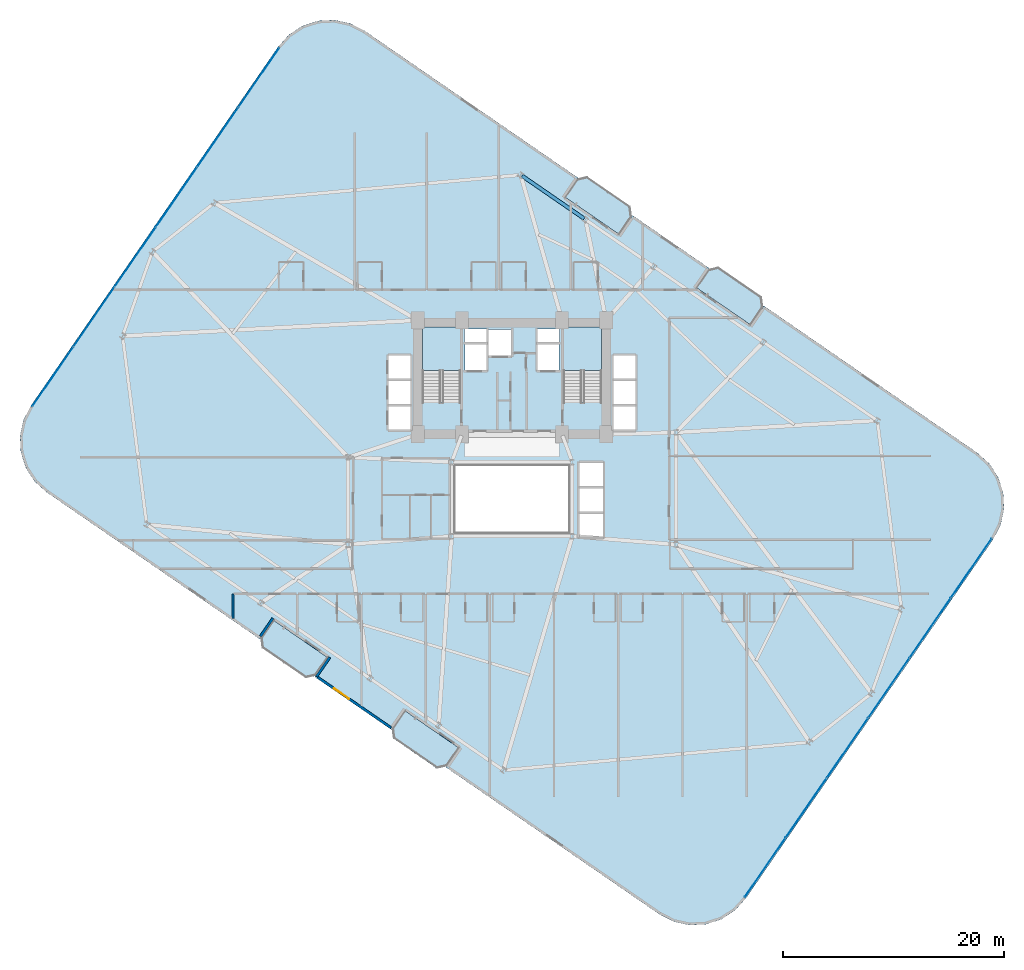
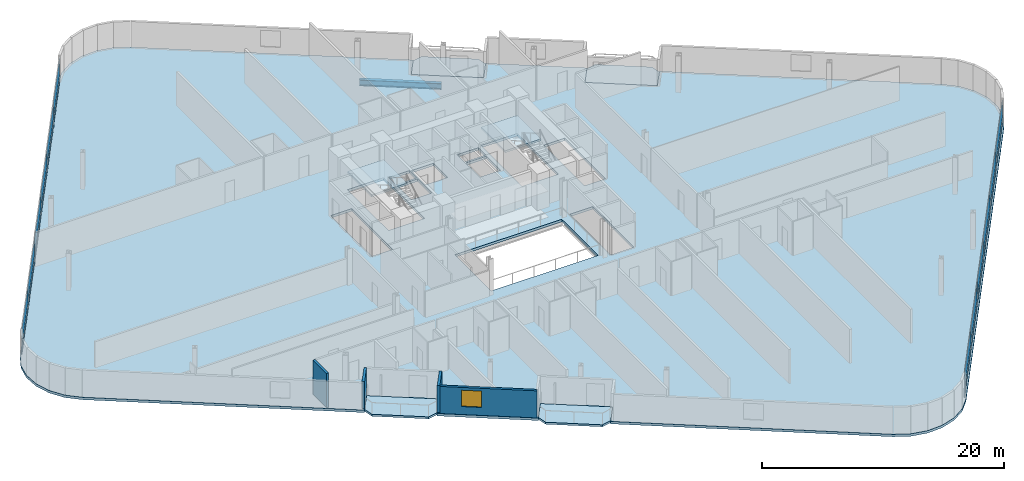
# One storey, part 16 of 25: 24 plates, 7 slabs, 4 walls, 1 beam, 1 window, 1 opening, 4 elements without a shape of their own.
"""IFC4 building model written with IfcOpenShell, lengths in metres."""

from ifc_helpers import new_model, si_unit, direction, frame, frame_2d, origin, origin_2d, place, context, subcontext, project, spatial, polyline, rectangle, i_section, outline, extrude, source, transform, mapped, material, layer, layer_set, material_profile, profile_set, type_object, element, fill, aggregate, save


model = new_model("IFC4")

# Units and contexts
model_context = context("Model", 3, precision=1e-05, world=origin(), true_north=direction((0.0, 1.0)))
body_context = subcontext(model_context, "Body", "Model", "MODEL_VIEW")
ifc_project = project(units=[si_unit("LENGTHUNIT", "METRE"), si_unit("AREAUNIT", "SQUARE_METRE"), si_unit("VOLUMEUNIT", "CUBIC_METRE"), si_unit("PLANEANGLEUNIT", "RADIAN"), si_unit("MASSUNIT", "GRAM", prefix="KILO")], contexts=[model_context])

# Site, building, storey
site_placement = place(None, origin())
site = spatial("IfcSite", under=ifc_project, at=site_placement, CompositionType="ELEMENT")
building_placement = place(site_placement, origin())
building = spatial("IfcBuilding", under=site, at=building_placement, Name="Varnelok Gate Tower", CompositionType="ELEMENT")
storey_placement = place(building_placement, frame((0.0, 0.0, 64.0)))
storey = spatial("IfcBuildingStorey", under=building, at=storey_placement, Name="L15", CompositionType="ELEMENT", Elevation=64.0)

# Beam
ifc_material_1 = material(Name="Structural Steel ASTM A992 Grade 50", Category="steel")
ifc_material_profile = material_profile(ifc_material_1, i_section(OverallWidth=0.323974609375, OverallDepth=0.611083984375, WebThickness=0.0126953125, FlangeThickness=0.01904296875, FilletRadius=0.01806640625, at=origin_2d()), Name="W24X104")
ifc_profile_set = profile_set([ifc_material_profile], Name="Structural Steel ASTM A992 Grade 50")
beam_type = type_object("IfcBeamType", Name="BM-SPN-W24X104", PredefinedType="SPANDREL", material=ifc_profile_set)
beam_placement = place(storey_placement, frame((45.708984375, 48.235107421875, -0.555419921875), z_axis=(-0.823553445566, 0.567238681947, 0.0), x_axis=(-0.567238681947, -0.823553445566, 0.0)))
element("IfcBeam", 1, at=beam_placement, inside=storey, type_object=beam_type, Name="L15 Perimeter Spandrel Beam 12", PredefinedType="SPANDREL", context=body_context, shape_type="SweptSolid", body=[
    extrude(i_section(OverallWidth=0.323974609375, OverallDepth=0.611083984375, WebThickness=0.0126953125, FlangeThickness=0.01904296875, FilletRadius=0.01806640625, at=origin_2d()), origin(), (0.0, 0.0, 1.0), 6.7998046875),
])

# Slabs
ifc_material_2 = material(Name="Concrete C45/55", Category="concrete")
ifc_layer_1 = layer(ifc_material_2, 0.199951171875)
ifc_layer_set_1 = layer_set([ifc_layer_1], Name="Concrete C45/55")
slab_type_1 = type_object("IfcSlabType", Name="SLB-BALC-200", PredefinedType="FLOOR", material=ifc_layer_set_1)
slab_1_placement = place(storey_placement, frame((0.0, 0.0, -0.199951171875)))
element("IfcSlab", 2, at=slab_1_placement, inside=storey, type_object=slab_type_1, Name="L15 South Hollow Balcony 1", PredefinedType="FLOOR", context=body_context, shape_type="SweptSolid", body=[
    extrude(outline(polyline([(16.5048828125, 10.3330078125), (16.67138671875, 9.42919921875), (20.5419921875, 6.762939453125), (21.446044921875, 6.929443359375), (22.58056640625, 8.57666015625), (17.639404296875, 11.980224609375), (16.5048828125, 10.3330078125)])), origin(), (0.0, 0.0, 1.0), 0.199951171875),
])
slab_2_placement = place(storey_placement, frame((0.0, 0.0, -0.199951171875)))
element("IfcSlab", 3, at=slab_2_placement, inside=storey, type_object=slab_type_1, Name="L15 South Hollow Balcony 2", PredefinedType="FLOOR", context=body_context, shape_type="SweptSolid", body=[
    extrude(outline(polyline([(28.36376953125, 2.164306640625), (28.5302734375, 1.260498046875), (32.40087890625, -1.40576171875), (33.304931640625, -1.2392578125), (34.439453125, 0.407958984375), (29.498291015625, 3.8115234375), (28.36376953125, 2.164306640625)])), origin(), (0.0, 0.0, 1.0), 0.199951171875),
])
slab_3_placement = place(storey_placement, frame((0.0, 0.0, -0.199951171875)))
element("IfcSlab", 4, at=slab_3_placement, inside=storey, type_object=slab_type_1, Name="L15 North Hollow Balcony 1", PredefinedType="FLOOR", context=body_context, shape_type="SweptSolid", body=[
    extrude(outline(polyline([(43.960693359375, 50.192138671875), (48.90185546875, 46.78857421875), (50.036376953125, 48.435546875), (49.869873046875, 49.339599609375), (45.999267578125, 52.005615234375), (45.09521484375, 51.839111328125), (43.960693359375, 50.192138671875)])), origin(), (0.0, 0.0, 1.0), 0.199951171875),
])
slab_4_placement = place(storey_placement, frame((0.0, 0.0, -0.199951171875)))
element("IfcSlab", 5, at=slab_4_placement, inside=storey, type_object=slab_type_1, Name="L15 North Hollow Balcony 2", PredefinedType="FLOOR", context=body_context, shape_type="SweptSolid", body=[
    extrude(outline(polyline([(55.819580078125, 42.0234375), (60.7607421875, 38.619873046875), (61.895263671875, 40.266845703125), (61.728515625, 41.1708984375), (57.85791015625, 43.837158203125), (56.9541015625, 43.67041015625), (55.819580078125, 42.0234375)])), origin(), (0.0, 0.0, 1.0), 0.199951171875),
])

# Stair, slab
ifc_material_3 = material(Name="Concrete C50/60", Category="concrete")
stair_type = type_object("IfcStairType", Name="STR-CORE-1650", PredefinedType="HALF_TURN_STAIR", material=ifc_material_3)
stair_1_placement = place(storey_placement, origin())
stair_1 = element("IfcStair", 6, at=stair_1_placement, inside=storey, type_object=stair_type, Name="L15 Exit Stair ST-1", PredefinedType="HALF_TURN_STAIR")
ifc_layer_2 = layer(ifc_material_2, 0.199951171875)
ifc_layer_set_2 = layer_set([ifc_layer_2], Name="Concrete C45/55")
slab_type_2 = type_object("IfcSlabType", Name="SLB-LAND-200", PredefinedType="LANDING", material=ifc_layer_set_2)
slab_5_placement = place(storey_placement, frame((0.0, 0.0, 1.64990234375)))
slab_5 = element("IfcSlab", 7, at=slab_5_placement, type_object=slab_type_2, Name="ST-1 landing 1", PredefinedType="LANDING", context=body_context, shape_type="SweptSolid", body=[
    extrude(outline(polyline([(34.550048828125, 34.5), (34.550048828125, 38.449951171875), (31.10009765625, 38.449951171875), (31.10009765625, 34.5), (34.550048828125, 34.5)])), origin(), (0.0, 0.0, 1.0), 0.2001953125),
])
aggregate(stair_1, [slab_5])

stair_2_placement = place(storey_placement, origin())
stair_2 = element("IfcStair", 8, at=stair_2_placement, inside=storey, type_object=stair_type, Name="L15 Exit Stair ST-2", PredefinedType="HALF_TURN_STAIR")
slab_6_placement = place(storey_placement, frame((0.0, 0.0, 1.64990234375)))
slab_6 = element("IfcSlab", 9, at=slab_6_placement, type_object=slab_type_2, Name="ST-2 landing 1", PredefinedType="LANDING", context=body_context, shape_type="SweptSolid", body=[
    extrude(outline(polyline([(47.300048828125, 34.5), (47.300048828125, 38.449951171875), (43.85009765625, 38.449951171875), (43.85009765625, 34.5), (47.300048828125, 34.5)])), origin(), (0.0, 0.0, 1.0), 0.2001953125),
])
aggregate(stair_2, [slab_6])

# Slab
ifc_layer_3 = layer(ifc_material_3, 0.25)
ifc_layer_set_3 = layer_set([ifc_layer_3], Name="Concrete C50/60")
slab_type_3 = type_object("IfcSlabType", Name="SLB-TYP-250", PredefinedType="FLOOR", material=ifc_layer_set_3)
slab_7_placement = place(storey_placement, frame((0.0, 0.0, -0.25)))
element("IfcSlab", 10, at=slab_7_placement, inside=storey, type_object=slab_type_3, Name="L15 Structural Floor Slab", PredefinedType="FLOOR", context=body_context, shape_type="SweptSolid", body=[
    extrude(outline(polyline([(-4.2578125, 31.3134765625), (-4.922607421875, 30.011474609375), (-5.22802734375, 28.581787109375), (-5.1533203125, 27.121826171875), (-4.702880859375, 25.731201171875), (-3.907958984375, 24.504150390625), (-2.822509765625, 23.52490234375), (7.7734375, 16.22607421875), (16.447998046875, 10.250732421875), (17.639404296875, 11.980224609375), (22.58056640625, 8.57666015625), (21.389404296875, 6.84716796875), (28.306884765625, 2.08203125), (29.498291015625, 3.8115234375), (34.439453125, 0.407958984375), (33.248046875, -1.321533203125), (41.922607421875, -7.296875), (52.518798828125, -14.595703125), (53.82080078125, -15.2607421875), (55.250244140625, -15.566162109375), (56.710205078125, -15.4912109375), (58.10107421875, -15.040771484375), (59.327880859375, -14.245849609375), (60.307373046875, -13.160400390625), (82.65771484375, 19.28662109375), (83.32275390625, 20.58837890625), (83.628173828125, 22.018310546875), (83.55322265625, 23.47802734375), (83.102783203125, 24.868896484375), (82.30810546875, 26.095703125), (81.22265625, 27.0751953125), (70.62646484375, 34.3740234375), (61.951904296875, 40.34912109375), (60.7607421875, 38.619873046875), (55.819580078125, 42.0234375), (57.0107421875, 43.752685546875), (50.093017578125, 48.517822265625), (48.90185546875, 46.78857421875), (43.960693359375, 50.192138671875), (45.15185546875, 51.92138671875), (36.477294921875, 57.896728515625), (25.881103515625, 65.195556640625), (24.579345703125, 65.860595703125), (23.149658203125, 66.166015625), (21.689697265625, 66.091064453125), (20.299072265625, 65.640869140625), (19.072021484375, 64.845947265625), (18.0927734375, 63.760498046875), (-4.2578125, 31.3134765625)]), holes=[polyline([(34.550048828125, 31.679931640625), (34.550048828125, 38.449951171875), (31.10009765625, 38.449951171875), (31.10009765625, 31.679931640625), (34.550048828125, 31.679931640625)]), polyline([(47.300048828125, 31.679931640625), (47.300048828125, 38.449951171875), (43.85009765625, 38.449951171875), (43.85009765625, 31.679931640625), (47.300048828125, 31.679931640625)]), polyline([(34.949951171875, 34.550048828125), (36.89990234375, 34.550048828125), (36.89990234375, 36.89990234375), (34.949951171875, 36.89990234375), (34.949951171875, 34.550048828125)]), polyline([(41.5, 34.550048828125), (43.449951171875, 34.550048828125), (43.449951171875, 36.89990234375), (41.5, 36.89990234375), (41.5, 34.550048828125)]), polyline([(37.050048828125, 35.85009765625), (39.14990234375, 35.85009765625), (39.14990234375, 38.199951171875), (37.050048828125, 38.199951171875), (37.050048828125, 35.85009765625)]), polyline([(28.050048828125, 29.14990234375), (30.050048828125, 29.14990234375), (30.050048828125, 35.89990234375), (28.050048828125, 35.89990234375), (28.050048828125, 29.14990234375)]), polyline([(48.35009765625, 29.14990234375), (50.35009765625, 29.14990234375), (50.35009765625, 35.89990234375), (48.35009765625, 35.89990234375), (48.35009765625, 29.14990234375)]), polyline([(45.25, 19.449951171875), (47.449951171875, 19.449951171875), (47.449951171875, 26.199951171875), (45.25, 26.199951171875), (45.25, 19.449951171875)]), polyline([(34.919921875, 37.080078125), (36.89990234375, 37.080078125), (36.89990234375, 38.280029296875), (34.919921875, 38.280029296875), (34.919921875, 37.080078125)]), polyline([(41.5, 37.080078125), (43.47998046875, 37.080078125), (43.47998046875, 38.280029296875), (41.5, 38.280029296875), (41.5, 37.080078125)]), polyline([(34.10009765625, 19.89990234375), (44.300048828125, 19.89990234375), (44.300048828125, 25.89990234375), (34.10009765625, 25.89990234375), (34.10009765625, 19.89990234375)])]), origin(), (0.0, 0.0, 1.0), 0.25),
])

# Curtain wall, plates
ifc_material_4 = material(Name="Anodized Aluminum Alloy 6063-T6", Category="aluminium")
ifc_layer_4 = layer(ifc_material_4, 0.179931640625)
ifc_layer_set_4 = layer_set([ifc_layer_4], Name="Anodized Aluminum Alloy 6063-T6")
curtain_wall_type = type_object("IfcCurtainWallType", Name="CW3-HOTEL-VISION", PredefinedType="USERDEFINED", material=ifc_layer_set_4)
curtain_wall_1_placement = place(storey_placement, origin())
curtain_wall_1 = element("IfcCurtainWall", 11, at=curtain_wall_1_placement, inside=storey, type_object=curtain_wall_type, Name="L15 West End Vision Curtain Wall", ObjectType="UNITISED CURTAIN WALL", PredefinedType="USERDEFINED")
ifc_material_5 = material(Name="Low-E Laminated Double Glazing IGU", Category="glass")
ifc_layer_5 = layer(ifc_material_5, 0.031982421875)
ifc_layer_set_5 = layer_set([ifc_layer_5], Name="Low-E Laminated Double Glazing IGU")
plate_type = type_object("IfcPlateType", Name="CW-PNL-IGU32", PredefinedType="CURTAIN_PANEL", material=ifc_layer_set_5)
shared_shape_1 = source(origin(), body_context, "Body", "SweptSolid", [
    extrude(rectangle(XDim=6.46923828125, YDim=0.031982421875, at=origin_2d()), origin(), (0.0, 0.0, 1.0), 0.802490234375),
])
plate_1_placement = place(storey_placement, frame((-2.270751953125, 33.951171875, 0.06494140625), z_axis=(0.0, 0.0, 1.0), x_axis=(0.567268822124, 0.823532685111, 0.0)))
plate_1 = element("IfcPlate", 12, at=plate_1_placement, type_object=plate_type, Name="CW3 panel 1.1", PredefinedType="CURTAIN_PANEL", context=body_context, shape_type="MappedRepresentation", body=[
    mapped(shared_shape_1, transform((0.0, 0.0, 0.0), scale=1.0)),
])
plate_2_placement = place(storey_placement, frame((16.336181640625, 60.9638671875, 0.06494140625), z_axis=(0.0, 0.0, 1.0), x_axis=(0.567268822124, 0.823532685111, 0.0)))
plate_2 = element("IfcPlate", 13, at=plate_2_placement, type_object=plate_type, Name="CW3 panel 6.1", PredefinedType="CURTAIN_PANEL", context=body_context, shape_type="MappedRepresentation", body=[
    mapped(shared_shape_1, transform((0.0, 0.0, 0.0), scale=1.0)),
])

curtain_wall_2_placement = place(storey_placement, origin())
curtain_wall_2 = element("IfcCurtainWall", 14, at=curtain_wall_2_placement, inside=storey, type_object=curtain_wall_type, Name="L15 East End Vision Curtain Wall", ObjectType="UNITISED CURTAIN WALL", PredefinedType="USERDEFINED")
plate_3_placement = place(storey_placement, frame((80.670654296875, 16.648681640625, 0.06494140625), z_axis=(0.0, 0.0, 1.0), x_axis=(-0.567268822124, -0.823532685111, 0.0)))
plate_3 = element("IfcPlate", 15, at=plate_3_placement, type_object=plate_type, Name="CW3 panel 1.1", PredefinedType="CURTAIN_PANEL", context=body_context, shape_type="MappedRepresentation", body=[
    mapped(shared_shape_1, transform((0.0, 0.0, 0.0), scale=1.0)),
])
plate_4_placement = place(storey_placement, frame((62.063720703125, -10.36376953125, 0.06494140625), z_axis=(0.0, 0.0, 1.0), x_axis=(-0.567268822124, -0.823532685111, 0.0)))
plate_4 = element("IfcPlate", 16, at=plate_4_placement, type_object=plate_type, Name="CW3 panel 6.1", PredefinedType="CURTAIN_PANEL", context=body_context, shape_type="MappedRepresentation", body=[
    mapped(shared_shape_1, transform((0.0, 0.0, 0.0), scale=1.0)),
])

# Plate
shared_shape_2 = source(origin(), body_context, "Body", "SweptSolid", [
    extrude(rectangle(XDim=6.46923828125, YDim=0.031982421875, at=origin_2d()), origin(), (0.0, 0.0, 1.0), 1.732421875),
])
plate_5_placement = place(storey_placement, frame((-2.270751953125, 33.951171875, 0.9326171875), z_axis=(0.0, 0.0, 1.0), x_axis=(0.567268822124, 0.823532685111, 0.0)))
plate_5 = element("IfcPlate", 17, at=plate_5_placement, type_object=plate_type, Name="CW3 panel 1.2", PredefinedType="CURTAIN_PANEL", context=body_context, shape_type="MappedRepresentation", body=[
    mapped(shared_shape_2, transform((0.0, 0.0, 0.0), scale=1.0)),
])

plate_6_placement = place(storey_placement, frame((16.336181640625, 60.9638671875, 0.9326171875), z_axis=(0.0, 0.0, 1.0), x_axis=(0.567268822124, 0.823532685111, 0.0)))
plate_6 = element("IfcPlate", 18, at=plate_6_placement, type_object=plate_type, Name="CW3 panel 6.2", PredefinedType="CURTAIN_PANEL", context=body_context, shape_type="MappedRepresentation", body=[
    mapped(shared_shape_2, transform((0.0, 0.0, 0.0), scale=1.0)),
])

plate_7_placement = place(storey_placement, frame((80.670654296875, 16.648681640625, 0.9326171875), z_axis=(0.0, 0.0, 1.0), x_axis=(-0.567268822124, -0.823532685111, 0.0)))
plate_7 = element("IfcPlate", 19, at=plate_7_placement, type_object=plate_type, Name="CW3 panel 1.2", PredefinedType="CURTAIN_PANEL", context=body_context, shape_type="MappedRepresentation", body=[
    mapped(shared_shape_2, transform((0.0, 0.0, 0.0), scale=1.0)),
])

plate_8_placement = place(storey_placement, frame((62.063720703125, -10.36376953125, 0.9326171875), z_axis=(0.0, 0.0, 1.0), x_axis=(-0.567268822124, -0.823532685111, 0.0)))
plate_8 = element("IfcPlate", 20, at=plate_8_placement, type_object=plate_type, Name="CW3 panel 6.2", PredefinedType="CURTAIN_PANEL", context=body_context, shape_type="MappedRepresentation", body=[
    mapped(shared_shape_2, transform((0.0, 0.0, 0.0), scale=1.0)),
])

shared_shape_3 = source(origin(), body_context, "Body", "SweptSolid", [
    extrude(rectangle(XDim=6.501708984375, YDim=0.031982421875, at=origin_2d()), origin(), (0.0, 0.0, 1.0), 0.802490234375),
])
plate_9_placement = place(storey_placement, frame((1.4453125, 39.345703125, 0.06494140625), z_axis=(0.0, 0.0, 1.0), x_axis=(0.567268822124, 0.823532685111, 0.0)))
plate_9 = element("IfcPlate", 21, at=plate_9_placement, type_object=plate_type, Name="CW3 panel 2.1", PredefinedType="CURTAIN_PANEL", context=body_context, shape_type="MappedRepresentation", body=[
    mapped(shared_shape_3, transform((0.0, 0.0, 0.0), scale=1.0)),
])

plate_10_placement = place(storey_placement, frame((5.170166015625, 44.753662109375, 0.06494140625), z_axis=(0.0, 0.0, 1.0), x_axis=(0.567268822124, 0.823532685111, 0.0)))
plate_10 = element("IfcPlate", 22, at=plate_10_placement, type_object=plate_type, Name="CW3 panel 3.1", PredefinedType="CURTAIN_PANEL", context=body_context, shape_type="MappedRepresentation", body=[
    mapped(shared_shape_3, transform((0.0, 0.0, 0.0), scale=1.0)),
])

plate_11_placement = place(storey_placement, frame((8.895263671875, 50.161376953125, 0.06494140625), z_axis=(0.0, 0.0, 1.0), x_axis=(0.567268822124, 0.823532685111, 0.0)))
plate_11 = element("IfcPlate", 23, at=plate_11_placement, type_object=plate_type, Name="CW3 panel 4.1", PredefinedType="CURTAIN_PANEL", context=body_context, shape_type="MappedRepresentation", body=[
    mapped(shared_shape_3, transform((0.0, 0.0, 0.0), scale=1.0)),
])

plate_12_placement = place(storey_placement, frame((12.620361328125, 55.5693359375, 0.06494140625), z_axis=(0.0, 0.0, 1.0), x_axis=(0.567268822124, 0.823532685111, 0.0)))
plate_12 = element("IfcPlate", 24, at=plate_12_placement, type_object=plate_type, Name="CW3 panel 5.1", PredefinedType="CURTAIN_PANEL", context=body_context, shape_type="MappedRepresentation", body=[
    mapped(shared_shape_3, transform((0.0, 0.0, 0.0), scale=1.0)),
])

plate_13_placement = place(storey_placement, frame((76.954833984375, 11.25439453125, 0.06494140625), z_axis=(0.0, 0.0, 1.0), x_axis=(-0.567268822124, -0.823532685111, 0.0)))
plate_13 = element("IfcPlate", 25, at=plate_13_placement, type_object=plate_type, Name="CW3 panel 2.1", PredefinedType="CURTAIN_PANEL", context=body_context, shape_type="MappedRepresentation", body=[
    mapped(shared_shape_3, transform((0.0, 0.0, 0.0), scale=1.0)),
])

plate_14_placement = place(storey_placement, frame((73.229736328125, 5.846435546875, 0.06494140625), z_axis=(0.0, 0.0, 1.0), x_axis=(-0.567268822124, -0.823532685111, 0.0)))
plate_14 = element("IfcPlate", 26, at=plate_14_placement, type_object=plate_type, Name="CW3 panel 3.1", PredefinedType="CURTAIN_PANEL", context=body_context, shape_type="MappedRepresentation", body=[
    mapped(shared_shape_3, transform((0.0, 0.0, 0.0), scale=1.0)),
])

plate_15_placement = place(storey_placement, frame((69.504638671875, 0.4384765625, 0.06494140625), z_axis=(0.0, 0.0, 1.0), x_axis=(-0.567268822124, -0.823532685111, 0.0)))
plate_15 = element("IfcPlate", 27, at=plate_15_placement, type_object=plate_type, Name="CW3 panel 4.1", PredefinedType="CURTAIN_PANEL", context=body_context, shape_type="MappedRepresentation", body=[
    mapped(shared_shape_3, transform((0.0, 0.0, 0.0), scale=1.0)),
])

plate_16_placement = place(storey_placement, frame((65.779541015625, -4.96923828125, 0.06494140625), z_axis=(0.0, 0.0, 1.0), x_axis=(-0.567268822124, -0.823532685111, 0.0)))
plate_16 = element("IfcPlate", 28, at=plate_16_placement, type_object=plate_type, Name="CW3 panel 5.1", PredefinedType="CURTAIN_PANEL", context=body_context, shape_type="MappedRepresentation", body=[
    mapped(shared_shape_3, transform((0.0, 0.0, 0.0), scale=1.0)),
])

shared_shape_4 = source(origin(), body_context, "Body", "SweptSolid", [
    extrude(rectangle(XDim=6.501708984375, YDim=0.031982421875, at=origin_2d()), origin(), (0.0, 0.0, 1.0), 1.732421875),
])
plate_17_placement = place(storey_placement, frame((1.4453125, 39.345703125, 0.9326171875), z_axis=(0.0, 0.0, 1.0), x_axis=(0.567268822124, 0.823532685111, 0.0)))
plate_17 = element("IfcPlate", 29, at=plate_17_placement, type_object=plate_type, Name="CW3 panel 2.2", PredefinedType="CURTAIN_PANEL", context=body_context, shape_type="MappedRepresentation", body=[
    mapped(shared_shape_4, transform((0.0, 0.0, 0.0), scale=1.0)),
])

plate_18_placement = place(storey_placement, frame((5.170166015625, 44.753662109375, 0.9326171875), z_axis=(0.0, 0.0, 1.0), x_axis=(0.567268822124, 0.823532685111, 0.0)))
plate_18 = element("IfcPlate", 30, at=plate_18_placement, type_object=plate_type, Name="CW3 panel 3.2", PredefinedType="CURTAIN_PANEL", context=body_context, shape_type="MappedRepresentation", body=[
    mapped(shared_shape_4, transform((0.0, 0.0, 0.0), scale=1.0)),
])

plate_19_placement = place(storey_placement, frame((8.895263671875, 50.161376953125, 0.9326171875), z_axis=(0.0, 0.0, 1.0), x_axis=(0.567268822124, 0.823532685111, 0.0)))
plate_19 = element("IfcPlate", 31, at=plate_19_placement, type_object=plate_type, Name="CW3 panel 4.2", PredefinedType="CURTAIN_PANEL", context=body_context, shape_type="MappedRepresentation", body=[
    mapped(shared_shape_4, transform((0.0, 0.0, 0.0), scale=1.0)),
])

plate_20_placement = place(storey_placement, frame((12.620361328125, 55.5693359375, 0.9326171875), z_axis=(0.0, 0.0, 1.0), x_axis=(0.567268822124, 0.823532685111, 0.0)))
plate_20 = element("IfcPlate", 32, at=plate_20_placement, type_object=plate_type, Name="CW3 panel 5.2", PredefinedType="CURTAIN_PANEL", context=body_context, shape_type="MappedRepresentation", body=[
    mapped(shared_shape_4, transform((0.0, 0.0, 0.0), scale=1.0)),
])

aggregate(curtain_wall_1, [plate_1, plate_5, plate_9, plate_17, plate_10, plate_18, plate_11, plate_19, plate_12, plate_20, plate_2, plate_6])

plate_21_placement = place(storey_placement, frame((76.954833984375, 11.25439453125, 0.9326171875), z_axis=(0.0, 0.0, 1.0), x_axis=(-0.567268822124, -0.823532685111, 0.0)))
plate_21 = element("IfcPlate", 33, at=plate_21_placement, type_object=plate_type, Name="CW3 panel 2.2", PredefinedType="CURTAIN_PANEL", context=body_context, shape_type="MappedRepresentation", body=[
    mapped(shared_shape_4, transform((0.0, 0.0, 0.0), scale=1.0)),
])

plate_22_placement = place(storey_placement, frame((73.229736328125, 5.846435546875, 0.9326171875), z_axis=(0.0, 0.0, 1.0), x_axis=(-0.567268822124, -0.823532685111, 0.0)))
plate_22 = element("IfcPlate", 34, at=plate_22_placement, type_object=plate_type, Name="CW3 panel 3.2", PredefinedType="CURTAIN_PANEL", context=body_context, shape_type="MappedRepresentation", body=[
    mapped(shared_shape_4, transform((0.0, 0.0, 0.0), scale=1.0)),
])

plate_23_placement = place(storey_placement, frame((69.504638671875, 0.4384765625, 0.9326171875), z_axis=(0.0, 0.0, 1.0), x_axis=(-0.567268822124, -0.823532685111, 0.0)))
plate_23 = element("IfcPlate", 35, at=plate_23_placement, type_object=plate_type, Name="CW3 panel 4.2", PredefinedType="CURTAIN_PANEL", context=body_context, shape_type="MappedRepresentation", body=[
    mapped(shared_shape_4, transform((0.0, 0.0, 0.0), scale=1.0)),
])

plate_24_placement = place(storey_placement, frame((65.779541015625, -4.96923828125, 0.9326171875), z_axis=(0.0, 0.0, 1.0), x_axis=(-0.567268822124, -0.823532685111, 0.0)))
plate_24 = element("IfcPlate", 36, at=plate_24_placement, type_object=plate_type, Name="CW3 panel 5.2", PredefinedType="CURTAIN_PANEL", context=body_context, shape_type="MappedRepresentation", body=[
    mapped(shared_shape_4, transform((0.0, 0.0, 0.0), scale=1.0)),
])

aggregate(curtain_wall_2, [plate_3, plate_7, plate_13, plate_21, plate_14, plate_22, plate_15, plate_23, plate_16, plate_24, plate_4, plate_8])

# Walls
ifc_layer_6 = layer(ifc_material_2, 0.219970703125)
ifc_layer_set_6 = layer_set([ifc_layer_6], Name="Concrete C45/55")
wall_type_1 = type_object("IfcWallType", Name="EW-BALC-220", PredefinedType="SOLIDWALL", material=ifc_layer_set_6)
wall_1_placement = place(storey_placement, frame((16.48828125, 10.5205078125, 0.0), z_axis=(0.0, 0.0, 1.0), x_axis=(0.567131976434, 0.823626930902, 0.0)))
element("IfcWall", 37, at=wall_1_placement, inside=storey, type_object=wall_type_1, Name="L15 Perimeter Facade Closure Wall 8", PredefinedType="SOLIDWALL", context=body_context, shape_type="SweptSolid", body=[
    extrude(rectangle(XDim=1.97509765625, YDim=0.219970703125, at=frame_2d((0.987548828125, 0.0))), origin(), (0.0, 0.0, 1.0), 2.72998046875),
])
wall_2_placement = place(storey_placement, frame((22.747314453125, 8.607421875, 0.0), z_axis=(0.0, 0.0, 1.0), x_axis=(-0.567219383419, -0.823566737474, 0.0)))
element("IfcWall", 38, at=wall_2_placement, inside=storey, type_object=wall_type_1, Name="L15 Perimeter Facade Closure Wall 9", PredefinedType="SOLIDWALL", context=body_context, shape_type="SweptSolid", body=[
    extrude(rectangle(XDim=2.10009765625, YDim=0.219970703125, at=frame_2d((1.050048828125, 0.0))), origin(), (0.0, 0.0, 1.0), 2.72998046875),
])

# Wall, opening, window
wall_3_placement = place(storey_placement, frame((21.6591796875, 6.806884765625, 0.0), z_axis=(0.0, 0.0, 1.0), x_axis=(0.823535360023, -0.567264938799, 0.0)))
wall_3 = element("IfcWall", 39, at=wall_3_placement, inside=storey, type_object=wall_type_1, Name="L15 Perimeter Facade Closure Wall 10", PredefinedType="SOLIDWALL", context=body_context, shape_type="SweptSolid", body=[
    extrude(rectangle(XDim=8.034912109375, YDim=0.219970703125, at=frame_2d((4.017578125, 0.0))), origin(), (0.0, 0.0, 1.0), 2.72998046875),
])
opening_placement = place(wall_3_placement, frame((1.787841796875, 0.0, 0.800048828125)))
opening = element("IfcOpeningElement", 40, at=opening_placement, cuts=wall_3, Name="Opening WN3", PredefinedType="OPENING", context=body_context, shape_type="SweptSolid", body=[
    extrude(rectangle(XDim=1.64990234375, YDim=1.64990234375, at=frame_2d((0.824951171875, 0.824951171875))), frame((0.0, 0.119873046875, 0.0), z_axis=(0.0, -1.0, 0.0), x_axis=(1.0, 0.0, 0.0)), (0.0, 0.0, 1.0), 0.239990234375),
])
window_type = type_object("IfcWindowType", Name="WN-HTL-1650", PartitioningType="SINGLE_PANEL", PredefinedType="WINDOW", material=ifc_material_5)
window_placement = place(opening_placement, origin())
window = element("IfcWindow", 41, at=window_placement, inside=storey, type_object=window_type, Name="L15 Perimeter Vision Window 10", OverallHeight=1.64990234375, OverallWidth=1.64990234375, PartitioningType="SINGLE_PANEL", PredefinedType="WINDOW", context=body_context, shape_type="SweptSolid", body=[
    extrude(rectangle(XDim=1.64990234375, YDim=1.64990234375, at=frame_2d((0.824951171875, 0.824951171875))), frame((0.0, 0.030029296875, 0.0), z_axis=(0.0, -1.0, 0.0), x_axis=(1.0, 0.0, 0.0)), (0.0, 0.0, 1.0), 0.06005859375),
])
fill(opening, window)

# Wall
ifc_material_6 = material(Name="Gypsum Plasterboard Acoustic Partition", Category="gypsum")
ifc_layer_7 = layer(ifc_material_6, 0.205078125)
ifc_layer_set_7 = layer_set([ifc_layer_7], Name="Gypsum Plasterboard Acoustic Partition")
wall_type_2 = type_object("IfcWallType", Name="PW-PARTY-200", PredefinedType="PARTITIONING", material=ifc_layer_set_7)
wall_4_placement = place(storey_placement, frame((14.0, 12.107177734375, 0.0), z_axis=(0.0, 0.0, 1.0), x_axis=(0.0, 1.0, 0.0)))
element("IfcWall", 42, at=wall_4_placement, inside=storey, type_object=wall_type_2, Name="L15 South Party Wall 1", PredefinedType="PARTITIONING", context=body_context, shape_type="SweptSolid", body=[
    extrude(rectangle(XDim=2.242919921875, YDim=0.205078125, at=frame_2d((1.12158203125, 0.0))), origin(), (0.0, 0.0, 1.0), 3.449951171875),
])

save(model, "model.ifc")
